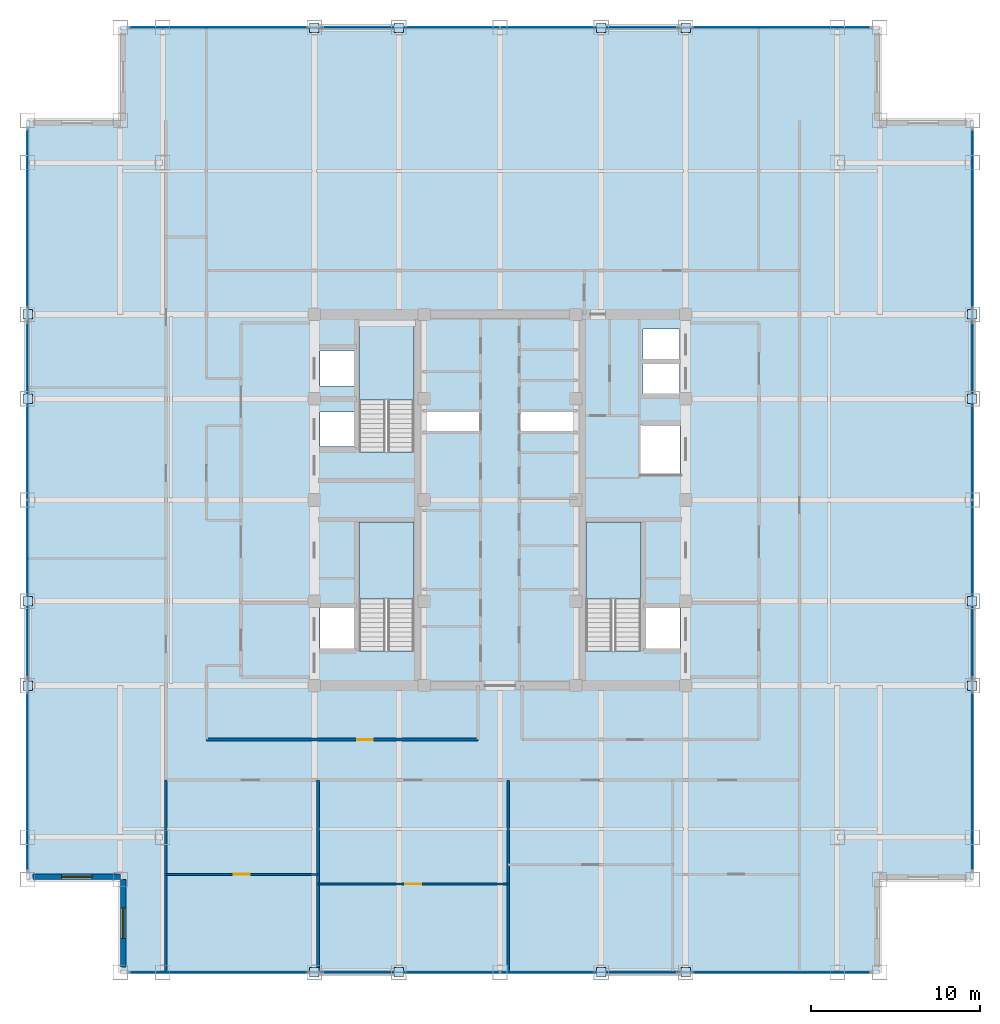
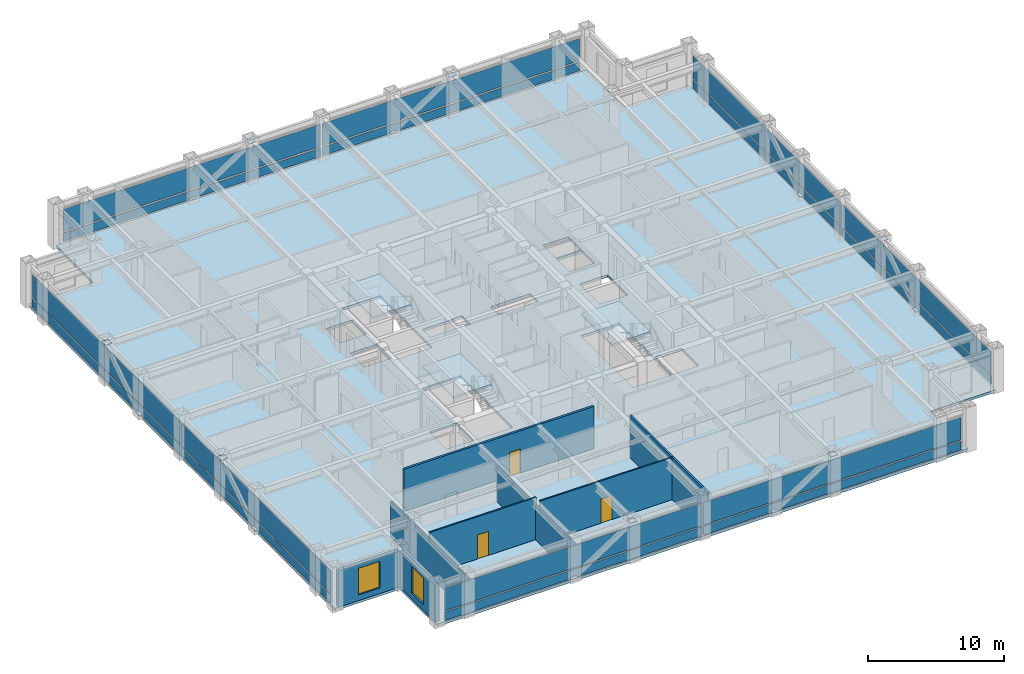
# One storey, part 17 of 22: 32 plates, 8 walls, 4 slabs, 3 doors, 2 windows, 5 openings, 7 elements without a shape of their own.
"""IFC4 building model written with IfcOpenShell, lengths in metres."""

from ifc_helpers import new_model, si_unit, direction, frame, frame_2d, origin, origin_2d, place, context, subcontext, project, spatial, polyline, rectangle, outline, extrude, source, transform, mapped, material, layer, layer_set, type_object, element, fill, aggregate, save


model = new_model("IFC4")

# Units and contexts
model_context = context("Model", 3, precision=1e-05, world=origin(), true_north=direction((0.0, 1.0)))
body_context = subcontext(model_context, "Body", "Model", "MODEL_VIEW")
ifc_project = project(units=[si_unit("LENGTHUNIT", "METRE"), si_unit("AREAUNIT", "SQUARE_METRE"), si_unit("VOLUMEUNIT", "CUBIC_METRE"), si_unit("PLANEANGLEUNIT", "RADIAN"), si_unit("MASSUNIT", "GRAM", prefix="KILO")], contexts=[model_context])

# Site, building, storey
site_placement = place(None, origin())
site = spatial("IfcSite", under=ifc_project, at=site_placement, CompositionType="ELEMENT")
building_placement = place(site_placement, origin())
building = spatial("IfcBuilding", under=site, at=building_placement, Name="Khorayat Bourse Tower", CompositionType="ELEMENT")
storey_placement = place(building_placement, frame((0.0, 0.0, 289.5)))
storey = spatial("IfcBuildingStorey", under=building, at=storey_placement, Name="L68", CompositionType="ELEMENT", Elevation=289.5)

# Stair, slab
ifc_material_1 = material(Name="Concrete C40/50", Category="concrete")
stair_type = type_object("IfcStairType", Name="STR-CORE-1550", PredefinedType="HALF_TURN_STAIR", material=ifc_material_1)
stair_1_placement = place(storey_placement, origin())
stair_1 = element("IfcStair", 1, at=stair_1_placement, inside=storey, type_object=stair_type, Name="L68 Exit Stair ST-1", PredefinedType="HALF_TURN_STAIR")
ifc_layer_1 = layer(ifc_material_1, 0.199951171875)
ifc_layer_set_1 = layer_set([ifc_layer_1], Name="Concrete C40/50")
slab_type_1 = type_object("IfcSlabType", Name="SLB-LANDING-200", PredefinedType="LANDING", material=ifc_layer_set_1)
slab_1_placement = place(storey_placement, frame((0.0, 0.0, 1.800048828125)))
slab_1 = element("IfcSlab", 2, at=slab_1_placement, type_object=slab_type_1, Name="ST-1 landing 1", PredefinedType="LANDING", context=body_context, shape_type="SweptSolid", body=[
    extrude(outline(polyline([(-5.10009765625, -5.8701171875), (-5.10009765625, -1.300048828125), (-8.35009765625, -1.300048828125), (-8.35009765625, -5.8701171875), (-5.10009765625, -5.8701171875)])), origin(), (0.0, 0.0, 1.0), 0.199951171875),
])
aggregate(stair_1, [slab_1])

stair_2_placement = place(storey_placement, origin())
stair_2 = element("IfcStair", 3, at=stair_2_placement, inside=storey, type_object=stair_type, Name="L68 Exit Stair ST-2", PredefinedType="HALF_TURN_STAIR")
slab_2_placement = place(storey_placement, frame((0.0, 0.0, 1.800048828125)))
slab_2 = element("IfcSlab", 4, at=slab_2_placement, type_object=slab_type_1, Name="ST-2 landing 1", PredefinedType="LANDING", context=body_context, shape_type="SweptSolid", body=[
    extrude(outline(polyline([(-5.10009765625, 5.929931640625), (-5.10009765625, 10.5), (-8.35009765625, 10.5), (-8.35009765625, 5.929931640625), (-5.10009765625, 5.929931640625)])), origin(), (0.0, 0.0, 1.0), 0.199951171875),
])
aggregate(stair_2, [slab_2])

stair_3_placement = place(storey_placement, origin())
stair_3 = element("IfcStair", 5, at=stair_3_placement, inside=storey, type_object=stair_type, Name="L68 Exit Stair ST-3", PredefinedType="HALF_TURN_STAIR")
slab_3_placement = place(storey_placement, frame((0.0, 0.0, 1.800048828125)))
slab_3 = element("IfcSlab", 6, at=slab_3_placement, type_object=slab_type_1, Name="ST-3 landing 1", PredefinedType="LANDING", context=body_context, shape_type="SweptSolid", body=[
    extrude(outline(polyline([(8.35009765625, -5.8701171875), (8.35009765625, -1.300048828125), (5.10009765625, -1.300048828125), (5.10009765625, -5.8701171875), (8.35009765625, -5.8701171875)])), origin(), (0.0, 0.0, 1.0), 0.199951171875),
])
aggregate(stair_3, [slab_3])

# Slab
ifc_layer_2 = layer(ifc_material_1, 0.219970703125)
ifc_layer_set_2 = layer_set([ifc_layer_2], Name="Concrete C40/50")
slab_type_2 = type_object("IfcSlabType", Name="SLB-OFFICE-220", PredefinedType="FLOOR", material=ifc_layer_set_2)
slab_4_placement = place(storey_placement, frame((0.0, 0.0, -0.219970703125)))
element("IfcSlab", 7, at=slab_4_placement, inside=storey, type_object=slab_type_2, Name="L68 Main Floor Slab", PredefinedType="FLOOR", context=body_context, shape_type="SweptSolid", body=[
    extrude(outline(polyline([(-22.5, -28.0), (22.5, -28.0), (22.5, -22.5), (28.0, -22.5), (28.0, 22.5), (22.5, 22.5), (22.5, 28.0), (-22.5, 28.0), (-22.5, 22.5), (-28.0, 22.5), (-28.0, -22.5), (-22.5, -22.5), (-22.5, -28.0)]), holes=[polyline([(-8.35009765625, -8.945068359375), (-5.10009765625, -8.945068359375), (-5.10009765625, -1.300048828125), (-8.35009765625, -1.300048828125), (-8.35009765625, -8.945068359375)]), polyline([(-8.35009765625, 2.85498046875), (-5.10009765625, 2.85498046875), (-5.10009765625, 10.5), (-8.35009765625, 10.5), (-8.35009765625, 2.85498046875)]), polyline([(5.10009765625, -8.945068359375), (8.35009765625, -8.945068359375), (8.35009765625, -1.300048828125), (5.10009765625, -1.300048828125), (5.10009765625, -8.945068359375)]), polyline([(-10.679931640625, 3.169921875), (-8.419921875, 3.169921875), (-8.419921875, 5.22998046875), (-10.679931640625, 5.22998046875), (-10.679931640625, 3.169921875)]), polyline([(-10.679931640625, 6.77001953125), (-8.419921875, 6.77001953125), (-8.419921875, 8.830078125), (-10.679931640625, 8.830078125), (-10.679931640625, 6.77001953125)]), polyline([(8.469970703125, 6.27001953125), (10.6298828125, 6.27001953125), (10.6298828125, 8.1298828125), (8.469970703125, 8.1298828125), (8.469970703125, 6.27001953125)]), polyline([(8.469970703125, 8.27001953125), (10.6298828125, 8.27001953125), (10.6298828125, 10.1298828125), (8.469970703125, 10.1298828125), (8.469970703125, 8.27001953125)]), polyline([(-10.679931640625, -8.929931640625), (-8.419921875, -8.929931640625), (-8.419921875, -6.3701171875), (-10.679931640625, -6.3701171875), (-10.679931640625, -8.929931640625)]), polyline([(8.419921875, -8.929931640625), (10.679931640625, -8.929931640625), (10.679931640625, -6.3701171875), (8.419921875, -6.3701171875), (8.419921875, -8.929931640625)]), polyline([(8.320068359375, 1.52001953125), (10.679931640625, 1.52001953125), (10.679931640625, 4.47998046875), (8.320068359375, 4.47998046875), (8.320068359375, 1.52001953125)]), polyline([(-4.56005859375, 4.080078125), (-1.18994140625, 4.080078125), (-1.18994140625, 5.219970703125), (-4.56005859375, 5.219970703125), (-4.56005859375, 4.080078125)]), polyline([(1.18994140625, 4.080078125), (4.56005859375, 4.080078125), (4.56005859375, 5.219970703125), (1.18994140625, 5.219970703125), (1.18994140625, 4.080078125)])]), origin(), (0.0, 0.0, 1.0), 0.219970703125),
])

# Plates
ifc_material_2 = material(Name="Steel EN 10025-2 S355J2", Category="steel")
ifc_layer_3 = layer(ifc_material_2, 0.02490234375)
ifc_layer_set_3 = layer_set([ifc_layer_3], Name="Steel EN 10025-2 S355J2")
plate_type_1 = type_object("IfcPlateType", Name="PLT-ENDCAP-25", PredefinedType="SHEET", material=ifc_layer_set_3)
shared_shape_1 = source(origin(), body_context, "Body", "SweptSolid", [
    extrude(rectangle(XDim=0.56005859375, YDim=0.56005859375, at=origin_2d()), origin(), (0.0, 0.0, 1.0), 0.02490234375),
])
for number, where, z_axis, x_axis, name in (
    (8, (-11.0, -28.0, 0.237548828125), (0.0, 0.0, 1.0), (1.0, 0.0, 0.0), "L68 Perimeter Brace End Plate 001"),
    (9, (-6.0, -28.0, 3.517578125), (0.0, 0.0, 1.0), (1.0, 0.0, 0.0), "L68 Perimeter Brace End Plate 002"),
    (10, (6.0, -28.0, 0.237548828125), (0.0, 0.0, 1.0), (1.0, 0.0, 0.0), "L68 Perimeter Brace End Plate 003"),
    (11, (11.0, -28.0, 3.517578125), (0.0, 0.0, 1.0), (1.0, 0.0, 0.0), "L68 Perimeter Brace End Plate 004"),
    (12, (-11.0, 28.0, 0.237548828125), (0.0, 0.0, 1.0), (1.0, 0.0, 0.0), "L68 Perimeter Brace End Plate 005"),
    (13, (-6.0, 28.0, 3.517578125), (0.0, 0.0, 1.0), (1.0, 0.0, 0.0), "L68 Perimeter Brace End Plate 006"),
    (14, (6.0, 28.0, 0.237548828125), (0.0, 0.0, 1.0), (1.0, 0.0, 0.0), "L68 Perimeter Brace End Plate 007"),
    (15, (11.0, 28.0, 3.517578125), (0.0, 0.0, 1.0), (1.0, 0.0, 0.0), "L68 Perimeter Brace End Plate 008"),
    (16, (-28.0, -11.0, 0.237548828125), (0.0, 0.0, 1.0), (1.0, 0.0, 0.0), "L68 Perimeter Brace End Plate 009"),
    (17, (-28.0, -6.0, 3.517578125), (0.0, 0.0, 1.0), (1.0, 0.0, 0.0), "L68 Perimeter Brace End Plate 010"),
    (18, (-28.0, 6.0, 0.237548828125), (0.0, 0.0, 1.0), (1.0, 0.0, 0.0), "L68 Perimeter Brace End Plate 011"),
    (19, (-28.0, 11.0, 3.517578125), (0.0, 0.0, 1.0), (1.0, 0.0, 0.0), "L68 Perimeter Brace End Plate 012"),
    (20, (28.0, -11.0, 0.237548828125), (0.0, 0.0, 1.0), (1.0, 0.0, 0.0), "L68 Perimeter Brace End Plate 013"),
    (21, (28.0, -6.0, 3.517578125), (0.0, 0.0, 1.0), (1.0, 0.0, 0.0), "L68 Perimeter Brace End Plate 014"),
    (22, (28.0, 6.0, 0.237548828125), (0.0, 0.0, 1.0), (1.0, 0.0, 0.0), "L68 Perimeter Brace End Plate 015"),
    (23, (28.0, 11.0, 3.517578125), (0.0, 0.0, 1.0), (1.0, 0.0, 0.0), "L68 Perimeter Brace End Plate 016"),
):
    element("IfcPlate", number, at=place(storey_placement, frame(where, z_axis=z_axis, x_axis=x_axis)), inside=storey, type_object=plate_type_1, Name=name, PredefinedType="SHEET", context=body_context, shape_type="MappedRepresentation", body=[
        mapped(shared_shape_1, transform((0.0, 0.0, 0.0), scale=1.0)),
    ])

# Curtain wall, plates
ifc_material_3 = material(Name="Aluminium EN AW-6063 T6", Category="aluminium")
curtain_wall_type = type_object("IfcCurtainWallType", Name="CW-SYS-04", PredefinedType="NOTDEFINED", material=ifc_material_3)
curtain_wall_1_placement = place(storey_placement, origin())
curtain_wall_1 = element("IfcCurtainWall", 24, at=curtain_wall_1_placement, inside=storey, type_object=curtain_wall_type, Name="L68 Curtain Wall CW-L68-S1", PredefinedType="NOTDEFINED")
ifc_material_4 = material(Name="Honed desert limestone insulated spandrel", Category="masonry")
ifc_layer_4 = layer(ifc_material_4, 0.06494140625)
ifc_layer_set_4 = layer_set([ifc_layer_4], Name="Honed desert limestone insulated spandrel")
plate_type_2 = type_object("IfcPlateType", Name="CWP-SPAND-03", PredefinedType="CURTAIN_PANEL", material=ifc_layer_set_4)
shared_shape_2 = source(origin(), body_context, "Body", "SweptSolid", [
    extrude(rectangle(XDim=21.820068359375, YDim=0.06494140625, at=origin_2d()), origin(), (0.0, 0.0, 1.0), 0.77001953125),
])
plate_1_placement = place(storey_placement, frame((-10.969970703125, -28.0, 0.119873046875), z_axis=(0.0, 0.0, 1.0), x_axis=(1.0, 0.0, 0.0)))
plate_1 = element("IfcPlate", 25, at=plate_1_placement, type_object=plate_type_2, Name="CW-L68-S1 Spandrel Panel 1-1", PredefinedType="CURTAIN_PANEL", context=body_context, shape_type="MappedRepresentation", body=[
    mapped(shared_shape_2, transform((0.0, 0.0, 0.0), scale=1.0)),
])
plate_2_placement = place(storey_placement, frame((10.969970703125, -28.0, 0.119873046875), z_axis=(0.0, 0.0, 1.0), x_axis=(1.0, 0.0, 0.0)))
plate_2 = element("IfcPlate", 26, at=plate_2_placement, type_object=plate_type_2, Name="CW-L68-S1 Spandrel Panel 2-1", PredefinedType="CURTAIN_PANEL", context=body_context, shape_type="MappedRepresentation", body=[
    mapped(shared_shape_2, transform((0.0, 0.0, 0.0), scale=1.0)),
])

curtain_wall_2_placement = place(storey_placement, origin())
curtain_wall_2 = element("IfcCurtainWall", 27, at=curtain_wall_2_placement, inside=storey, type_object=curtain_wall_type, Name="L68 Curtain Wall CW-L68-N1", PredefinedType="NOTDEFINED")
plate_3_placement = place(storey_placement, frame((-10.969970703125, 28.0, 0.119873046875), z_axis=(0.0, 0.0, 1.0), x_axis=(1.0, 0.0, 0.0)))
plate_3 = element("IfcPlate", 28, at=plate_3_placement, type_object=plate_type_2, Name="CW-L68-N1 Spandrel Panel 1-1", PredefinedType="CURTAIN_PANEL", context=body_context, shape_type="MappedRepresentation", body=[
    mapped(shared_shape_2, transform((0.0, 0.0, 0.0), scale=1.0)),
])
plate_4_placement = place(storey_placement, frame((10.969970703125, 28.0, 0.119873046875), z_axis=(0.0, 0.0, 1.0), x_axis=(1.0, 0.0, 0.0)))
plate_4 = element("IfcPlate", 29, at=plate_4_placement, type_object=plate_type_2, Name="CW-L68-N1 Spandrel Panel 2-1", PredefinedType="CURTAIN_PANEL", context=body_context, shape_type="MappedRepresentation", body=[
    mapped(shared_shape_2, transform((0.0, 0.0, 0.0), scale=1.0)),
])

curtain_wall_3_placement = place(storey_placement, origin())
curtain_wall_3 = element("IfcCurtainWall", 30, at=curtain_wall_3_placement, inside=storey, type_object=curtain_wall_type, Name="L68 Curtain Wall CW-L68-W1", PredefinedType="NOTDEFINED")
plate_5_placement = place(storey_placement, frame((-28.0, -10.969970703125, 0.119873046875), z_axis=(0.0, 0.0, 1.0), x_axis=(0.0, 1.0, 0.0)))
plate_5 = element("IfcPlate", 31, at=plate_5_placement, type_object=plate_type_2, Name="CW-L68-W1 Spandrel Panel 1-1", PredefinedType="CURTAIN_PANEL", context=body_context, shape_type="MappedRepresentation", body=[
    mapped(shared_shape_2, transform((0.0, 0.0, 0.0), scale=1.0)),
])
plate_6_placement = place(storey_placement, frame((-28.0, 10.969970703125, 0.119873046875), z_axis=(0.0, 0.0, 1.0), x_axis=(0.0, 1.0, 0.0)))
plate_6 = element("IfcPlate", 32, at=plate_6_placement, type_object=plate_type_2, Name="CW-L68-W1 Spandrel Panel 2-1", PredefinedType="CURTAIN_PANEL", context=body_context, shape_type="MappedRepresentation", body=[
    mapped(shared_shape_2, transform((0.0, 0.0, 0.0), scale=1.0)),
])

curtain_wall_4_placement = place(storey_placement, origin())
curtain_wall_4 = element("IfcCurtainWall", 33, at=curtain_wall_4_placement, inside=storey, type_object=curtain_wall_type, Name="L68 Curtain Wall CW-L68-E1", PredefinedType="NOTDEFINED")
plate_7_placement = place(storey_placement, frame((28.0, -10.969970703125, 0.119873046875), z_axis=(0.0, 0.0, 1.0), x_axis=(0.0, 1.0, 0.0)))
plate_7 = element("IfcPlate", 34, at=plate_7_placement, type_object=plate_type_2, Name="CW-L68-E1 Spandrel Panel 1-1", PredefinedType="CURTAIN_PANEL", context=body_context, shape_type="MappedRepresentation", body=[
    mapped(shared_shape_2, transform((0.0, 0.0, 0.0), scale=1.0)),
])
plate_8_placement = place(storey_placement, frame((28.0, 10.969970703125, 0.119873046875), z_axis=(0.0, 0.0, 1.0), x_axis=(0.0, 1.0, 0.0)))
plate_8 = element("IfcPlate", 35, at=plate_8_placement, type_object=plate_type_2, Name="CW-L68-E1 Spandrel Panel 2-1", PredefinedType="CURTAIN_PANEL", context=body_context, shape_type="MappedRepresentation", body=[
    mapped(shared_shape_2, transform((0.0, 0.0, 0.0), scale=1.0)),
])

# Plate
ifc_material_5 = material(Name="Low-E solar-control laminated double glazing", Category="glass")
ifc_layer_5 = layer(ifc_material_5, 0.0419921875)
ifc_layer_set_5 = layer_set([ifc_layer_5], Name="Low-E solar-control laminated double glazing")
plate_type_3 = type_object("IfcPlateType", Name="CWP-FACET-02", PredefinedType="CURTAIN_PANEL", material=ifc_layer_set_5)
shared_shape_3 = source(origin(), body_context, "Body", "SweptSolid", [
    extrude(rectangle(XDim=21.820068359375, YDim=0.0419921875, at=origin_2d()), origin(), (0.0, 0.0, 1.0), 2.0),
])
plate_9_placement = place(storey_placement, frame((-10.969970703125, -28.0, 1.010009765625), z_axis=(0.0, 0.0, 1.0), x_axis=(1.0, 0.0, 0.0)))
plate_9 = element("IfcPlate", 36, at=plate_9_placement, type_object=plate_type_3, Name="CW-L68-S1 Vision Panel 1-2", PredefinedType="CURTAIN_PANEL", context=body_context, shape_type="MappedRepresentation", body=[
    mapped(shared_shape_3, transform((0.0, 0.0, 0.0), scale=1.0)),
])

plate_10_placement = place(storey_placement, frame((10.969970703125, -28.0, 1.010009765625), z_axis=(0.0, 0.0, 1.0), x_axis=(1.0, 0.0, 0.0)))
plate_10 = element("IfcPlate", 37, at=plate_10_placement, type_object=plate_type_3, Name="CW-L68-S1 Vision Panel 2-2", PredefinedType="CURTAIN_PANEL", context=body_context, shape_type="MappedRepresentation", body=[
    mapped(shared_shape_3, transform((0.0, 0.0, 0.0), scale=1.0)),
])

aggregate(curtain_wall_1, [plate_1, plate_9, plate_2, plate_10])

plate_11_placement = place(storey_placement, frame((-10.969970703125, 28.0, 1.010009765625), z_axis=(0.0, 0.0, 1.0), x_axis=(1.0, 0.0, 0.0)))
plate_11 = element("IfcPlate", 38, at=plate_11_placement, type_object=plate_type_3, Name="CW-L68-N1 Vision Panel 1-2", PredefinedType="CURTAIN_PANEL", context=body_context, shape_type="MappedRepresentation", body=[
    mapped(shared_shape_3, transform((0.0, 0.0, 0.0), scale=1.0)),
])

plate_12_placement = place(storey_placement, frame((10.969970703125, 28.0, 1.010009765625), z_axis=(0.0, 0.0, 1.0), x_axis=(1.0, 0.0, 0.0)))
plate_12 = element("IfcPlate", 39, at=plate_12_placement, type_object=plate_type_3, Name="CW-L68-N1 Vision Panel 2-2", PredefinedType="CURTAIN_PANEL", context=body_context, shape_type="MappedRepresentation", body=[
    mapped(shared_shape_3, transform((0.0, 0.0, 0.0), scale=1.0)),
])

aggregate(curtain_wall_2, [plate_3, plate_11, plate_4, plate_12])

plate_13_placement = place(storey_placement, frame((-28.0, -10.969970703125, 1.010009765625), z_axis=(0.0, 0.0, 1.0), x_axis=(0.0, 1.0, 0.0)))
plate_13 = element("IfcPlate", 40, at=plate_13_placement, type_object=plate_type_3, Name="CW-L68-W1 Vision Panel 1-2", PredefinedType="CURTAIN_PANEL", context=body_context, shape_type="MappedRepresentation", body=[
    mapped(shared_shape_3, transform((0.0, 0.0, 0.0), scale=1.0)),
])

plate_14_placement = place(storey_placement, frame((-28.0, 10.969970703125, 1.010009765625), z_axis=(0.0, 0.0, 1.0), x_axis=(0.0, 1.0, 0.0)))
plate_14 = element("IfcPlate", 41, at=plate_14_placement, type_object=plate_type_3, Name="CW-L68-W1 Vision Panel 2-2", PredefinedType="CURTAIN_PANEL", context=body_context, shape_type="MappedRepresentation", body=[
    mapped(shared_shape_3, transform((0.0, 0.0, 0.0), scale=1.0)),
])

aggregate(curtain_wall_3, [plate_5, plate_13, plate_6, plate_14])

plate_15_placement = place(storey_placement, frame((28.0, -10.969970703125, 1.010009765625), z_axis=(0.0, 0.0, 1.0), x_axis=(0.0, 1.0, 0.0)))
plate_15 = element("IfcPlate", 42, at=plate_15_placement, type_object=plate_type_3, Name="CW-L68-E1 Vision Panel 1-2", PredefinedType="CURTAIN_PANEL", context=body_context, shape_type="MappedRepresentation", body=[
    mapped(shared_shape_3, transform((0.0, 0.0, 0.0), scale=1.0)),
])

plate_16_placement = place(storey_placement, frame((28.0, 10.969970703125, 1.010009765625), z_axis=(0.0, 0.0, 1.0), x_axis=(0.0, 1.0, 0.0)))
plate_16 = element("IfcPlate", 43, at=plate_16_placement, type_object=plate_type_3, Name="CW-L68-E1 Vision Panel 2-2", PredefinedType="CURTAIN_PANEL", context=body_context, shape_type="MappedRepresentation", body=[
    mapped(shared_shape_3, transform((0.0, 0.0, 0.0), scale=1.0)),
])

aggregate(curtain_wall_4, [plate_7, plate_15, plate_8, plate_16])

# Wall, opening, window
ifc_material_6 = material(Name="Precast concrete C45/55", Category="concrete")
ifc_layer_6 = layer(ifc_material_6, 0.320068359375)
ifc_layer_set_6 = layer_set([ifc_layer_6], Name="Precast concrete C45/55")
wall_type_1 = type_object("IfcWallType", Name="WAL-EXT-STONE-320", PredefinedType="STANDARD", material=ifc_layer_set_6)
shared_shape_4 = source(origin(), body_context, "Body", "SweptSolid", [
    extrude(rectangle(XDim=5.179931640625, YDim=0.320068359375, at=frame_2d((2.58984375, 0.0))), origin(), (0.0, 0.0, 1.0), 3.23095703125),
])
wall_1_placement = place(storey_placement, frame((-22.5, -22.340087890625, 0.0), z_axis=(0.0, 0.0, 1.0), x_axis=(-1.0, 0.0, 0.0)))
wall_1 = element("IfcWall", 44, at=wall_1_placement, inside=storey, type_object=wall_type_1, Name="L68 Re-Entrant Notch Limestone Wall SW-H", PredefinedType="STANDARD", context=body_context, shape_type="MappedRepresentation", body=[
    mapped(shared_shape_4, transform((0.0, 0.0, 0.0), scale=1.0)),
])
shared_shape_5 = source(origin(), body_context, "Body", "SweptSolid", [
    extrude(rectangle(XDim=1.800048828125, YDim=2.39990234375, at=frame_2d((0.89990234375, 1.199951171875))), frame((0.0, 0.169921875, 0.0), z_axis=(0.0, -1.0, 0.0), x_axis=(1.0, 0.0, 0.0)), (0.0, 0.0, 1.0), 0.340087890625),
])
opening_1_placement = place(wall_1_placement, frame((1.68994140625, 0.0, 0.5)))
opening_1 = element("IfcOpeningElement", 45, at=opening_1_placement, cuts=wall_1, Name="Opening WN-04", PredefinedType="OPENING", context=body_context, shape_type="MappedRepresentation", body=[
    mapped(shared_shape_5, transform((0.0, 0.0, 0.0), scale=1.0)),
])
ifc_material_7 = material(Name="Low-E acoustic laminated double glazing", Category="glass")
window_type = type_object("IfcWindowType", Name="WIN-NOTCH-1800x2400", PartitioningType="SINGLE_PANEL", PredefinedType="WINDOW", material=ifc_material_7)
shared_shape_6 = source(origin(), body_context, "Body", "SweptSolid", [
    extrude(rectangle(XDim=1.800048828125, YDim=2.39990234375, at=frame_2d((0.89990234375, 1.199951171875))), frame((0.0, 0.030029296875, 0.0), z_axis=(0.0, -1.0, 0.0), x_axis=(1.0, 0.0, 0.0)), (0.0, 0.0, 1.0), 0.06005859375),
])
window_1_placement = place(opening_1_placement, origin())
window_1 = element("IfcWindow", 46, at=window_1_placement, inside=storey, type_object=window_type, Name="L68 Facade Window 1", OverallHeight=2.39990234375, OverallWidth=1.800048828125, PartitioningType="SINGLE_PANEL", PredefinedType="WINDOW", context=body_context, shape_type="MappedRepresentation", body=[
    mapped(shared_shape_6, transform((0.0, 0.0, 0.0), scale=1.0)),
])
fill(opening_1, window_1)

wall_2_placement = place(storey_placement, frame((-22.340087890625, -27.679931640625, 0.0), z_axis=(0.0, 0.0, 1.0), x_axis=(0.0, 1.0, 0.0)))
wall_2 = element("IfcWall", 47, at=wall_2_placement, inside=storey, type_object=wall_type_1, Name="L68 Re-Entrant Notch Limestone Wall SW-V", PredefinedType="STANDARD", context=body_context, shape_type="MappedRepresentation", body=[
    mapped(shared_shape_4, transform((0.0, 0.0, 0.0), scale=1.0)),
])
opening_2_placement = place(wall_2_placement, frame((1.68994140625, 0.0, 0.5)))
opening_2 = element("IfcOpeningElement", 48, at=opening_2_placement, cuts=wall_2, Name="Opening WN-04", PredefinedType="OPENING", context=body_context, shape_type="MappedRepresentation", body=[
    mapped(shared_shape_5, transform((0.0, 0.0, 0.0), scale=1.0)),
])
window_2_placement = place(opening_2_placement, origin())
window_2 = element("IfcWindow", 49, at=window_2_placement, inside=storey, type_object=window_type, Name="L68 Facade Window 1", OverallHeight=2.39990234375, OverallWidth=1.800048828125, PartitioningType="SINGLE_PANEL", PredefinedType="WINDOW", context=body_context, shape_type="MappedRepresentation", body=[
    mapped(shared_shape_6, transform((0.0, 0.0, 0.0), scale=1.0)),
])
fill(opening_2, window_2)

# Wall, opening, door
ifc_material_8 = material(Name="Gypsum plasterboard acoustic stud wall")
ifc_layer_7 = layer(ifc_material_8, 0.179931640625)
ifc_layer_set_7 = layer_set([ifc_layer_7], Name="Gypsum plasterboard acoustic stud wall")
wall_type_2 = type_object("IfcWallType", Name="WAL-PART-CORR-180", PredefinedType="PARTITIONING", material=ifc_layer_set_7)
shared_shape_7 = source(origin(), body_context, "Body", "SweptSolid", [
    extrude(rectangle(XDim=16.099853515625, YDim=0.179931640625, at=frame_2d((8.0498046875, 0.0))), origin(), (0.0, 0.0, 1.0), 3.780029296875),
])
wall_3_placement = place(storey_placement, frame((-17.39990234375, -14.199951171875, 0.0), z_axis=(0.0, 0.0, 1.0), x_axis=(1.0, 0.0, 0.0)))
wall_3 = element("IfcWall", 50, at=wall_3_placement, inside=storey, type_object=wall_type_2, Name="L68 Partition WAL-L68-PKSW-S", PredefinedType="PARTITIONING", context=body_context, shape_type="MappedRepresentation", body=[
    mapped(shared_shape_7, transform((0.0, 0.0, 0.0), scale=1.0)),
])
shared_shape_8 = source(origin(), body_context, "Body", "SweptSolid", [
    extrude(rectangle(XDim=0.89990234375, YDim=2.14990234375, at=frame_2d((0.449951171875, 1.074951171875))), frame((0.0, 0.099853515625, 0.0), z_axis=(0.0, -1.0, 0.0), x_axis=(1.0, 0.0, 0.0)), (0.0, 0.0, 1.0), 0.199951171875),
])
opening_3_placement = place(wall_3_placement, frame((8.949951171875, 0.0, 0.0)))
opening_3 = element("IfcOpeningElement", 51, at=opening_3_placement, cuts=wall_3, Name="Opening DI-06", PredefinedType="OPENING", context=body_context, shape_type="MappedRepresentation", body=[
    mapped(shared_shape_8, transform((0.0, 0.0, 0.0), scale=1.0)),
])
ifc_material_9 = material(Name="Moisture-resistant laminate washroom door")
door_type_1 = type_object("IfcDoorType", Name="DR-INT-WC-900", OperationType="NOTDEFINED", PredefinedType="DOOR", material=ifc_material_9)
shared_shape_9 = source(origin(), body_context, "Body", "SweptSolid", [
    extrude(rectangle(XDim=0.89990234375, YDim=2.14990234375, at=frame_2d((0.449951171875, 1.074951171875))), frame((0.0, 0.02490234375, 0.0), z_axis=(0.0, -1.0, 0.0), x_axis=(1.0, 0.0, 0.0)), (0.0, 0.0, 1.0), 0.050048828125),
])
door_1_placement = place(opening_3_placement, origin())
door_1 = element("IfcDoor", 52, at=door_1_placement, inside=storey, type_object=door_type_1, Name="L68 SW Inboard Pantry Door", OperationType="SINGLE_SWING_LEFT", OverallHeight=2.14990234375, OverallWidth=0.89990234375, PredefinedType="DOOR", context=body_context, shape_type="MappedRepresentation", body=[
    mapped(shared_shape_9, transform((0.0, 0.0, 0.0), scale=1.0)),
])
fill(opening_3, door_1)

ifc_material_10 = material(Name="Gypsum plasterboard partition")
ifc_layer_8 = layer(ifc_material_10, 0.125)
ifc_layer_set_8 = layer_set([ifc_layer_8], Name="Gypsum plasterboard partition")
wall_type_3 = type_object("IfcWallType", Name="WAL-PART-ROOM-125", PredefinedType="PARTITIONING", material=ifc_layer_set_8)
shared_shape_10 = source(origin(), body_context, "Body", "SweptSolid", [
    extrude(rectangle(XDim=9.011962890625, YDim=0.125, at=frame_2d((4.505859375, 0.0))), origin(), (0.0, 0.0, 1.0), 3.780029296875),
])
wall_4_placement = place(storey_placement, frame((-19.800048828125, -22.18603515625, 0.0), z_axis=(0.0, 0.0, 1.0), x_axis=(1.0, 0.0, 0.0)))
wall_4 = element("IfcWall", 53, at=wall_4_placement, inside=storey, type_object=wall_type_3, Name="L68 Partition WAL-L68-SDP-1", PredefinedType="PARTITIONING", context=body_context, shape_type="MappedRepresentation", body=[
    mapped(shared_shape_10, transform((0.0, 0.0, 0.0), scale=1.0)),
])
shared_shape_11 = source(origin(), body_context, "Body", "SweptSolid", [
    extrude(rectangle(XDim=0.949951171875, YDim=2.14990234375, at=frame_2d((0.47509765625, 1.074951171875))), frame((0.0, 0.072509765625, 0.0), z_axis=(0.0, -1.0, 0.0), x_axis=(1.0, 0.0, 0.0)), (0.0, 0.0, 1.0), 0.14501953125),
])
opening_4_placement = place(wall_4_placement, frame((4.031005859375, 0.0, 0.0)))
opening_4 = element("IfcOpeningElement", 54, at=opening_4_placement, cuts=wall_4, Name="Opening DI-05", PredefinedType="OPENING", context=body_context, shape_type="MappedRepresentation", body=[
    mapped(shared_shape_11, transform((0.0, 0.0, 0.0), scale=1.0)),
])
ifc_material_11 = material(Name="Acoustic oak veneer office door")
door_type_2 = type_object("IfcDoorType", Name="DR-INT-OFFICE-950", OperationType="NOTDEFINED", PredefinedType="DOOR", material=ifc_material_11)
shared_shape_12 = source(origin(), body_context, "Body", "SweptSolid", [
    extrude(rectangle(XDim=0.949951171875, YDim=2.14990234375, at=frame_2d((0.47509765625, 1.074951171875))), frame((0.0, 0.02490234375, 0.0), z_axis=(0.0, -1.0, 0.0), x_axis=(1.0, 0.0, 0.0)), (0.0, 0.0, 1.0), 0.050048828125),
])
door_2_placement = place(opening_4_placement, origin())
door_2 = element("IfcDoor", 55, at=door_2_placement, inside=storey, type_object=door_type_2, Name="L68 Market Committee Conference Room S1B Door", OperationType="SINGLE_SWING_RIGHT", OverallHeight=2.14990234375, OverallWidth=0.949951171875, PredefinedType="DOOR", context=body_context, shape_type="MappedRepresentation", body=[
    mapped(shared_shape_12, transform((0.0, 0.0, 0.0), scale=1.0)),
])
fill(opening_4, door_2)

# Wall
ifc_material_12 = material(Name="Gypsum plasterboard twin-frame partition")
ifc_layer_9 = layer(ifc_material_12, 0.14990234375)
ifc_layer_set_9 = layer_set([ifc_layer_9], Name="Gypsum plasterboard twin-frame partition")
wall_type_4 = type_object("IfcWallType", Name="WAL-PART-SUITE-150", PredefinedType="PARTITIONING", material=ifc_layer_set_9)
shared_shape_13 = source(origin(), body_context, "Body", "SweptSolid", [
    extrude(rectangle(XDim=11.39990234375, YDim=0.14990234375, at=frame_2d((5.699951171875, 0.0))), origin(), (0.0, 0.0, 1.0), 3.0849609375),
])
wall_5_placement = place(storey_placement, frame((-10.7880859375, -28.0, 0.0), z_axis=(0.0, 0.0, 1.0), x_axis=(0.0, 1.0, 0.0)))
element("IfcWall", 56, at=wall_5_placement, inside=storey, type_object=wall_type_4, Name="L68 Partition WAL-L68-SDV-1", PredefinedType="PARTITIONING", context=body_context, shape_type="MappedRepresentation", body=[
    mapped(shared_shape_13, transform((0.0, 0.0, 0.0), scale=1.0)),
])

# Wall, opening, door
shared_shape_14 = source(origin(), body_context, "Body", "SweptSolid", [
    extrude(rectangle(XDim=11.26513671875, YDim=0.125, at=frame_2d((5.632568359375, 0.0))), origin(), (0.0, 0.0, 1.0), 3.780029296875),
])
wall_6_placement = place(storey_placement, frame((-10.7880859375, -22.756103515625, 0.0), z_axis=(0.0, 0.0, 1.0), x_axis=(1.0, 0.0, 0.0)))
wall_6 = element("IfcWall", 57, at=wall_6_placement, inside=storey, type_object=wall_type_3, Name="L68 Partition WAL-L68-SDP-2", PredefinedType="PARTITIONING", context=body_context, shape_type="MappedRepresentation", body=[
    mapped(shared_shape_14, transform((0.0, 0.0, 0.0), scale=1.0)),
])
opening_5_placement = place(wall_6_placement, frame((5.157470703125, 0.0, 0.0)))
opening_5 = element("IfcOpeningElement", 58, at=opening_5_placement, cuts=wall_6, Name="Opening DI-05", PredefinedType="OPENING", context=body_context, shape_type="MappedRepresentation", body=[
    mapped(shared_shape_11, transform((0.0, 0.0, 0.0), scale=1.0)),
])
door_3_placement = place(opening_5_placement, origin())
door_3 = element("IfcDoor", 59, at=door_3_placement, inside=storey, type_object=door_type_2, Name="L68 Brokerage Seminar Room S2B Door", OperationType="SINGLE_SWING_LEFT", OverallHeight=2.14990234375, OverallWidth=0.949951171875, PredefinedType="DOOR", context=body_context, shape_type="MappedRepresentation", body=[
    mapped(shared_shape_12, transform((0.0, 0.0, 0.0), scale=1.0)),
])
fill(opening_5, door_3)

# Walls
shared_shape_15 = source(origin(), body_context, "Body", "SweptSolid", [
    extrude(rectangle(XDim=11.39990234375, YDim=0.14990234375, at=frame_2d((5.699951171875, 0.0))), origin(), (0.0, 0.0, 1.0), 3.780029296875),
])
wall_7_placement = place(storey_placement, frame((0.47705078125, -28.0, 0.0), z_axis=(0.0, 0.0, 1.0), x_axis=(0.0, 1.0, 0.0)))
element("IfcWall", 60, at=wall_7_placement, inside=storey, type_object=wall_type_4, Name="L68 Partition WAL-L68-SDV-2", PredefinedType="PARTITIONING", context=body_context, shape_type="MappedRepresentation", body=[
    mapped(shared_shape_15, transform((0.0, 0.0, 0.0), scale=1.0)),
])
shared_shape_16 = source(origin(), body_context, "Body", "SweptSolid", [
    extrude(rectangle(XDim=11.39990234375, YDim=0.14990234375, at=frame_2d((5.699951171875, 0.0))), origin(), (0.0, 0.0, 1.0), 3.1640625),
])
wall_8_placement = place(storey_placement, frame((-19.800048828125, -28.0, 0.0), z_axis=(0.0, 0.0, 1.0), x_axis=(0.0, 1.0, 0.0)))
element("IfcWall", 61, at=wall_8_placement, inside=storey, type_object=wall_type_4, Name="L68 Partition WAL-L68-SCW-END", PredefinedType="PARTITIONING", context=body_context, shape_type="MappedRepresentation", body=[
    mapped(shared_shape_16, transform((0.0, 0.0, 0.0), scale=1.0)),
])

save(model, "model.ifc")
